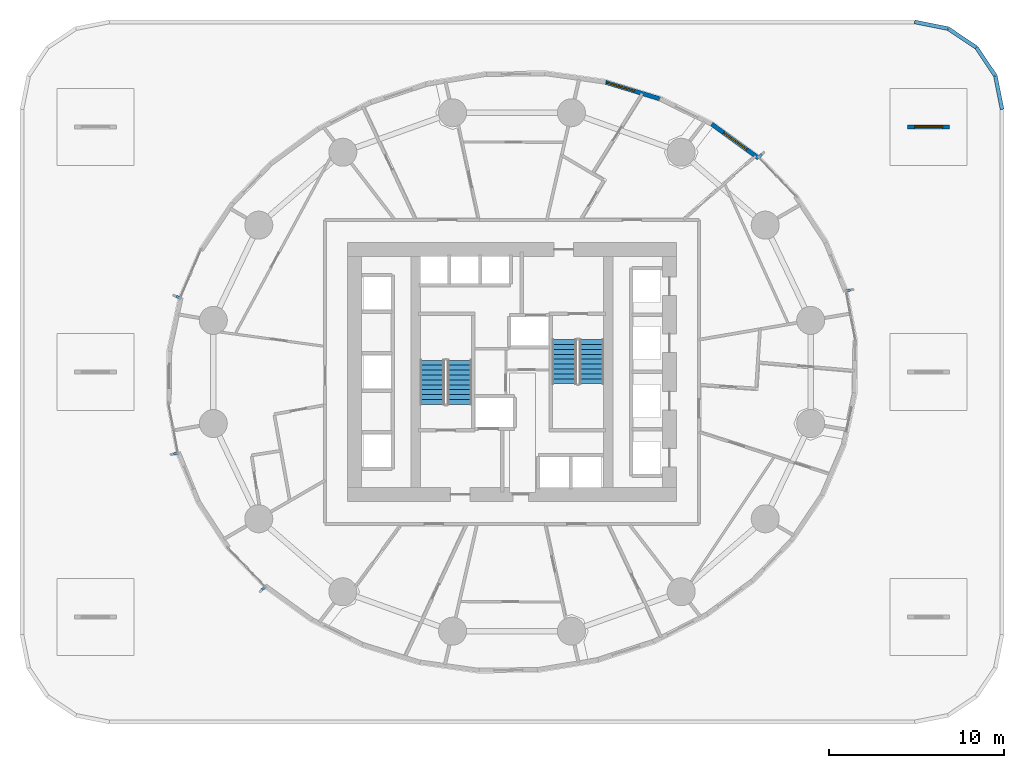
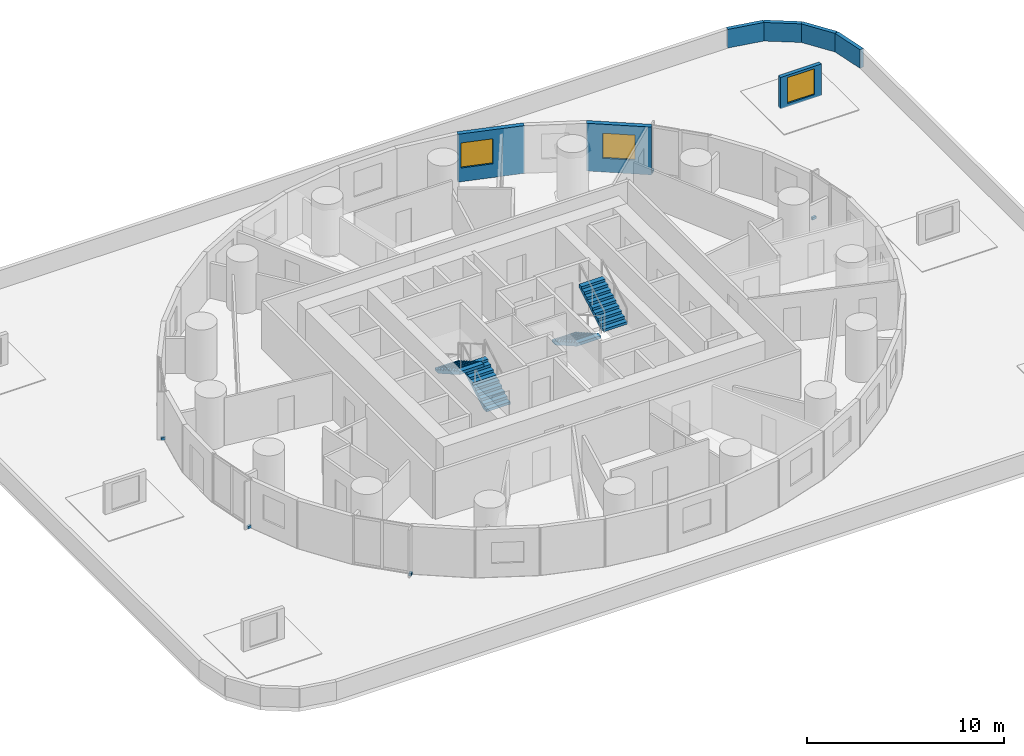
# One storey, part 10 of 12: 7 walls, 5 discrete accessories, 4 stair flights, 3 windows, 3 openings, 2 elements without a shape of their own.
"""IFC4 building model written with IfcOpenShell, lengths in metres."""

from ifc_helpers import new_model, si_unit, direction, frame, frame_2d, origin, origin_2d, place, context, subcontext, project, spatial, polyline, rectangle, outline, extrude, material, layer, layer_set, type_object, element, fill, aggregate, save


model = new_model("IFC4")

# Units and contexts
model_context = context("Model", 3, precision=1e-05, world=origin(), true_north=direction((0.0, 1.0)))
body_context = subcontext(model_context, "Body", "Model", "MODEL_VIEW")
ifc_project = project(units=[si_unit("LENGTHUNIT", "METRE"), si_unit("AREAUNIT", "SQUARE_METRE"), si_unit("VOLUMEUNIT", "CUBIC_METRE"), si_unit("PLANEANGLEUNIT", "RADIAN"), si_unit("MASSUNIT", "GRAM", prefix="KILO")], contexts=[model_context])

# Site, building, storey
site_placement = place(None, origin())
site = spatial("IfcSite", under=ifc_project, at=site_placement, CompositionType="ELEMENT")
building_placement = place(site_placement, origin())
building = spatial("IfcBuilding", under=site, at=building_placement, Name="Veldorim Arch Residences", CompositionType="ELEMENT")
storey_placement = place(building_placement, frame((0.0, 0.0, 24.800048828125)))
storey = spatial("IfcBuildingStorey", under=building, at=storey_placement, Name="L06", CompositionType="ELEMENT", Elevation=24.800048828125)

# Walls
ifc_material_1 = material(Name="Precast concrete C40/50", Category="concrete")
ifc_layer_1 = layer(ifc_material_1, 0.219970703125, Name="Terrace & Refuge Perimeter Parapet Wall 220")
ifc_layer_set_1 = layer_set([ifc_layer_1], Name="Precast concrete C40/50")
wall_type_1 = type_object("IfcWallType", Name="Terrace & Refuge Perimeter Parapet Wall 220", PredefinedType="PARAPET", material=ifc_layer_set_1)
for number, where, z_axis, x_axis, name in (
    (1, (59.619384765625, 40.913330078125, 0.0), (0.0, 0.0, 1.0), (0.19510522281, -0.980782316333, 0.0), "L06 podium roof garden perimeter parapet 05"),
    (2, (58.535400390625, 42.535400390625, 0.0), (0.0, 0.0, 1.0), (0.555623968812, -0.831433704682, 0.0), "L06 podium roof garden perimeter parapet 06"),
    (3, (56.913330078125, 43.619384765625, 0.0), (0.0, 0.0, 1.0), (0.831433704682, -0.555623968812, 0.0), "L06 podium roof garden perimeter parapet 07"),
    (4, (55.0, 44.0, 0.0), (0.0, 0.0, 1.0), (0.980782316333, -0.19510522281, 0.0), "L06 podium roof garden perimeter parapet 08"),
):
    element("IfcWall", number, at=place(storey_placement, frame(where, z_axis=z_axis, x_axis=x_axis)), inside=storey, type_object=wall_type_1, Name=name, PredefinedType="PARAPET", context=body_context, shape_type="SweptSolid", body=[
        extrude(rectangle(XDim=1.950927734375, YDim=0.219970703125, at=frame_2d((0.9755859375, 0.0))), origin(), (0.0, 0.0, 1.0), 1.14990234375),
    ])

# Wall, opening, window
wall_1_placement = place(storey_placement, frame((54.60009765625, 38.0, 0.0), z_axis=(0.0, 0.0, 1.0), x_axis=(1.0, 0.0, 0.0)))
wall_1 = element("IfcWall", 5, at=wall_1_placement, inside=storey, type_object=wall_type_1, Name="L06 clinic atrium skylight monitor wall 06", PredefinedType="PARAPET", context=body_context, shape_type="SweptSolid", body=[
    extrude(rectangle(XDim=2.39990234375, YDim=0.219970703125, at=frame_2d((1.199951171875, 0.0))), origin(), (0.0, 0.0, 1.0), 1.949951171875),
])
opening_1_placement = place(wall_1_placement, frame((0.39990234375, 0.0, 0.199951171875)))
opening_1 = element("IfcOpeningElement", 6, at=opening_1_placement, cuts=wall_1, Name="Opening SK-01", PredefinedType="OPENING", context=body_context, shape_type="SweptSolid", body=[
    extrude(rectangle(XDim=1.60009765625, YDim=1.60009765625, at=frame_2d((0.800048828125, 0.800048828125))), frame((0.0, 0.119873046875, 0.0), z_axis=(0.0, -1.0, 0.0), x_axis=(1.0, 0.0, 0.0)), (0.0, 0.0, 1.0), 0.239990234375),
])
ifc_material_2 = material(Name="Laminated Low-E Glass", Category="glass")
window_type_1 = type_object("IfcWindowType", Name="Podium Roof Framed Skylight 1600x1600", PartitioningType="SINGLE_PANEL", PredefinedType="SKYLIGHT", material=ifc_material_2)
window_1_placement = place(opening_1_placement, origin())
window_1 = element("IfcWindow", 7, at=window_1_placement, inside=storey, type_object=window_type_1, Name="L06 polyclinic roof skylight 06", OverallHeight=1.60009765625, OverallWidth=1.60009765625, PartitioningType="SINGLE_PANEL", PredefinedType="SKYLIGHT", context=body_context, shape_type="SweptSolid", body=[
    extrude(rectangle(XDim=1.60009765625, YDim=1.60009765625, at=frame_2d((0.800048828125, 0.800048828125))), frame((0.0, 0.030029296875, 0.0), z_axis=(0.0, -1.0, 0.0), x_axis=(1.0, 0.0, 0.0)), (0.0, 0.0, 1.0), 0.06005859375),
])
fill(opening_1, window_1)

ifc_material_3 = material(Name="Precast concrete C40/50", Category="concrete")
ifc_layer_2 = layer(ifc_material_3, 0.25, Name="Tower Terracotta Spandrel & Pier Wall 250")
ifc_layer_set_2 = layer_set([ifc_layer_2], Name="Precast concrete C40/50")
wall_type_2 = type_object("IfcWallType", Name="Tower Terracotta Spandrel & Pier Wall 250", PredefinedType="SOLIDWALL", material=ifc_layer_set_2)
wall_2_placement = place(storey_placement, frame((43.41064453125, 38.168212890625, 0.0), z_axis=(0.0, 0.0, 1.0), x_axis=(0.809637503316, -0.58693024562, 0.0)))
wall_2 = element("IfcWall", 8, at=wall_2_placement, inside=storey, type_object=wall_type_2, Name="L06 terracotta facade wall 05", PredefinedType="SOLIDWALL", context=body_context, shape_type="SweptSolid", body=[
    extrude(rectangle(XDim=3.32275390625, YDim=0.25, at=frame_2d((1.661376953125, 0.0))), origin(), (0.0, 0.0, 1.0), 2.9599609375),
])
opening_2_placement = place(wall_2_placement, frame((0.8359375, 0.0, 0.85009765625)))
opening_2 = element("IfcOpeningElement", 9, at=opening_2_placement, cuts=wall_2, Name="Opening WN-03", PredefinedType="OPENING", context=body_context, shape_type="SweptSolid", body=[
    extrude(rectangle(XDim=1.64990234375, YDim=1.550048828125, at=frame_2d((0.824951171875, 0.77490234375))), frame((0.0, 0.135009765625, 0.0), z_axis=(0.0, -1.0, 0.0), x_axis=(1.0, 0.0, 0.0)), (0.0, 0.0, 1.0), 0.27001953125),
])
ifc_material_4 = material(Name="Laminated Low-E Glass", Category="glass")
window_type_2 = type_object("IfcWindowType", Name="Residential Wide Window 1650x1550", PartitioningType="SINGLE_PANEL", PredefinedType="WINDOW", material=ifc_material_4)
window_2_placement = place(opening_2_placement, origin())
window_2 = element("IfcWindow", 10, at=window_2_placement, inside=storey, type_object=window_type_2, Name="L06 solar-control facade window 05", OverallHeight=1.550048828125, OverallWidth=1.64990234375, PartitioningType="SINGLE_PANEL", PredefinedType="WINDOW", context=body_context, shape_type="SweptSolid", body=[
    extrude(rectangle(XDim=1.64990234375, YDim=1.550048828125, at=frame_2d((0.824951171875, 0.77490234375))), frame((0.0, 0.030029296875, 0.0), z_axis=(0.0, -1.0, 0.0), x_axis=(1.0, 0.0, 0.0)), (0.0, 0.0, 1.0), 0.06005859375),
])
fill(opening_2, window_2)

wall_3_placement = place(storey_placement, frame((37.246337890625, 40.588623046875, 0.0), z_axis=(0.0, 0.0, 1.0), x_axis=(0.956266745267, -0.292496003213, 0.0)))
wall_3 = element("IfcWall", 11, at=wall_3_placement, inside=storey, type_object=wall_type_2, Name="L06 terracotta facade wall 07", PredefinedType="SOLIDWALL", context=body_context, shape_type="SweptSolid", body=[
    extrude(rectangle(XDim=3.46484375, YDim=0.25, at=frame_2d((1.732421875, 0.0))), origin(), (0.0, 0.0, 1.0), 2.9599609375),
])
opening_3_placement = place(wall_3_placement, frame((0.175048828125, 0.0, 0.85009765625)))
opening_3 = element("IfcOpeningElement", 12, at=opening_3_placement, cuts=wall_3, Name="Opening WN-03", PredefinedType="OPENING", context=body_context, shape_type="SweptSolid", body=[
    extrude(rectangle(XDim=1.64990234375, YDim=1.550048828125, at=frame_2d((0.824951171875, 0.77490234375))), frame((0.0, 0.135009765625, 0.0), z_axis=(0.0, -1.0, 0.0), x_axis=(1.0, 0.0, 0.0)), (0.0, 0.0, 1.0), 0.27001953125),
])
window_3_placement = place(opening_3_placement, origin())
window_3 = element("IfcWindow", 13, at=window_3_placement, inside=storey, type_object=window_type_2, Name="L06 solar-control facade window 07", OverallHeight=1.550048828125, OverallWidth=1.64990234375, PartitioningType="SINGLE_PANEL", PredefinedType="WINDOW", context=body_context, shape_type="SweptSolid", body=[
    extrude(rectangle(XDim=1.64990234375, YDim=1.550048828125, at=frame_2d((0.824951171875, 0.77490234375))), frame((0.0, 0.030029296875, 0.0), z_axis=(0.0, -1.0, 0.0), x_axis=(1.0, 0.0, 0.0)), (0.0, 0.0, 1.0), 0.06005859375),
])
fill(opening_3, window_3)

# Stair, stair flights
ifc_material_5 = material(Name="Concrete C40/50", Category="concrete")
stair_type = type_object("IfcStairType", Name="Reinforced Concrete Dogleg Exit Staircase", PredefinedType="HALF_TURN_STAIR", material=ifc_material_5)
stair_1_placement = place(storey_placement, origin())
stair_1 = element("IfcStair", 14, at=stair_1_placement, inside=storey, type_object=stair_type, Name="L06 Exit Staircase ST-1", PredefinedType="HALF_TURN_STAIR")
ifc_material_6 = material(Name="Concrete C40/50", Category="concrete")
stair_flight_type = type_object("IfcStairFlightType", Name="Reinforced Concrete Stair Flight 1400", PredefinedType="STRAIGHT", material=ifc_material_6)
stair_flight_1_placement = place(storey_placement, frame((29.010009765625, 22.14990234375, 0.0), z_axis=(0.0, 0.0, 1.0), x_axis=(0.0, 1.0, 0.0)))
stair_flight_1 = element("IfcStairFlight", 15, at=stair_flight_1_placement, type_object=stair_flight_type, Name="ST-1 flight 1", NumberOfRisers=10, NumberOfTreads=9, PredefinedType="STRAIGHT", RiserHeight=0.16, TreadLength=0.28, context=body_context, shape_type="SweptSolid", body=[
    extrude(outline(polyline([(0.0, 0.0), (0.0, 0.159912109375), (0.280029296875, 0.159912109375), (0.280029296875, 0.320068359375), (0.56005859375, 0.320068359375), (0.56005859375, 0.47998046875), (0.840087890625, 0.47998046875), (0.840087890625, 0.639892578125), (1.1201171875, 0.639892578125), (1.1201171875, 0.800048828125), (1.39990234375, 0.800048828125), (1.39990234375, 0.9599609375), (1.679931640625, 0.9599609375), (1.679931640625, 1.1201171875), (1.9599609375, 1.1201171875), (1.9599609375, 1.280029296875), (2.239990234375, 1.280029296875), (2.239990234375, 1.43994140625), (2.52001953125, 1.43994140625), (2.52001953125, 1.60009765625), (2.52001953125, 1.255859375), (0.322265625, 0.0), (0.0, 0.0)])), frame((0.0, 0.699951171875, 0.0), z_axis=(0.0, -1.0, 0.0), x_axis=(1.0, 0.0, 0.0)), (0.0, 0.0, 1.0), 1.39990234375),
])
stair_flight_2_placement = place(storey_placement, frame((27.449951171875, 24.669921875, 1.599853515625), z_axis=(0.0, 0.0, 1.0), x_axis=(0.0, -1.0, 0.0)))
stair_flight_2 = element("IfcStairFlight", 16, at=stair_flight_2_placement, type_object=stair_flight_type, Name="ST-1 flight 2", NumberOfRisers=10, NumberOfTreads=9, PredefinedType="STRAIGHT", RiserHeight=0.16, TreadLength=0.28, context=body_context, shape_type="SweptSolid", body=[
    extrude(outline(polyline([(0.0, 0.0), (0.0, 0.159912109375), (0.280029296875, 0.159912109375), (0.280029296875, 0.320068359375), (0.56005859375, 0.320068359375), (0.56005859375, 0.47998046875), (0.840087890625, 0.47998046875), (0.840087890625, 0.639892578125), (1.1201171875, 0.639892578125), (1.1201171875, 0.800048828125), (1.39990234375, 0.800048828125), (1.39990234375, 0.9599609375), (1.679931640625, 0.9599609375), (1.679931640625, 1.1201171875), (1.9599609375, 1.1201171875), (1.9599609375, 1.280029296875), (2.239990234375, 1.280029296875), (2.239990234375, 1.43994140625), (2.52001953125, 1.43994140625), (2.52001953125, 1.60009765625), (2.52001953125, 1.255859375), (0.322265625, 0.0), (0.0, 0.0)])), frame((0.0, 0.699951171875, 0.0), z_axis=(0.0, -1.0, 0.0), x_axis=(1.0, 0.0, 0.0)), (0.0, 0.0, 1.0), 1.39990234375),
])
aggregate(stair_1, [stair_flight_1, stair_flight_2])

stair_2_placement = place(storey_placement, origin())
stair_2 = element("IfcStair", 17, at=stair_2_placement, inside=storey, type_object=stair_type, Name="L06 Exit Staircase ST-2", PredefinedType="HALF_TURN_STAIR")
stair_flight_3_placement = place(storey_placement, frame((34.989990234375, 25.85009765625, 0.0), z_axis=(0.0, 0.0, 1.0), x_axis=(0.0, -1.0, 0.0)))
stair_flight_3 = element("IfcStairFlight", 18, at=stair_flight_3_placement, type_object=stair_flight_type, Name="ST-2 flight 1", NumberOfRisers=10, NumberOfTreads=9, PredefinedType="STRAIGHT", RiserHeight=0.16, TreadLength=0.28, context=body_context, shape_type="SweptSolid", body=[
    extrude(outline(polyline([(0.0, 0.0), (0.0, 0.159912109375), (0.280029296875, 0.159912109375), (0.280029296875, 0.320068359375), (0.56005859375, 0.320068359375), (0.56005859375, 0.47998046875), (0.840087890625, 0.47998046875), (0.840087890625, 0.639892578125), (1.1201171875, 0.639892578125), (1.1201171875, 0.800048828125), (1.39990234375, 0.800048828125), (1.39990234375, 0.9599609375), (1.679931640625, 0.9599609375), (1.679931640625, 1.1201171875), (1.9599609375, 1.1201171875), (1.9599609375, 1.280029296875), (2.239990234375, 1.280029296875), (2.239990234375, 1.43994140625), (2.52001953125, 1.43994140625), (2.52001953125, 1.60009765625), (2.52001953125, 1.255859375), (0.322265625, 0.0), (0.0, 0.0)])), frame((0.0, 0.699951171875, 0.0), z_axis=(0.0, -1.0, 0.0), x_axis=(1.0, 0.0, 0.0)), (0.0, 0.0, 1.0), 1.39990234375),
])
stair_flight_4_placement = place(storey_placement, frame((36.550048828125, 23.330078125, 1.599853515625), z_axis=(0.0, 0.0, 1.0), x_axis=(0.0, 1.0, 0.0)))
stair_flight_4 = element("IfcStairFlight", 19, at=stair_flight_4_placement, type_object=stair_flight_type, Name="ST-2 flight 2", NumberOfRisers=10, NumberOfTreads=9, PredefinedType="STRAIGHT", RiserHeight=0.16, TreadLength=0.28, context=body_context, shape_type="SweptSolid", body=[
    extrude(outline(polyline([(0.0, 0.0), (0.0, 0.159912109375), (0.280029296875, 0.159912109375), (0.280029296875, 0.320068359375), (0.56005859375, 0.320068359375), (0.56005859375, 0.47998046875), (0.840087890625, 0.47998046875), (0.840087890625, 0.639892578125), (1.1201171875, 0.639892578125), (1.1201171875, 0.800048828125), (1.39990234375, 0.800048828125), (1.39990234375, 0.9599609375), (1.679931640625, 0.9599609375), (1.679931640625, 1.1201171875), (1.9599609375, 1.1201171875), (1.9599609375, 1.280029296875), (2.239990234375, 1.280029296875), (2.239990234375, 1.43994140625), (2.52001953125, 1.43994140625), (2.52001953125, 1.60009765625), (2.52001953125, 1.255859375), (0.322265625, 0.0), (0.0, 0.0)])), frame((0.0, 0.699951171875, 0.0), z_axis=(0.0, -1.0, 0.0), x_axis=(1.0, 0.0, 0.0)), (0.0, 0.0, 1.0), 1.39990234375),
])
aggregate(stair_2, [stair_flight_3, stair_flight_4])

# Discrete accessories
ifc_material_7 = material(Name="Stainless Steel", Category="steel")
discrete_accessory_type = type_object("IfcDiscreteAccessoryType", Name="Stainless Steel Facade Fin Anchor Bracket", PredefinedType="BRACKET", material=ifc_material_7)
for number, where, z_axis, x_axis, name in (
    (20, (51.214111328125, 28.6650390625, -0.02001953125), (0.0, 0.0, 1.0), (0.187209870265, -0.982319939976, 0.0), "L06 stainless fin anchor bracket 01"),
    (21, (46.194580078125, 36.355224609375, -0.02001953125), (0.0, 0.0, 1.0), (0.693527577607, -0.720430079257, 0.0), "L06 stainless fin anchor bracket 04"),
    (22, (12.918212890625, 28.27392578125, -0.02001953125), (0.0, 0.0, 1.0), (0.393781484212, 0.919204081089, 0.0), "L06 stainless fin anchor bracket 16"),
    (23, (12.785888671875, 19.3349609375, -0.02001953125), (0.0, 0.0, 1.0), (-0.187209870265, 0.982319939976, 0.0), "L06 stainless fin anchor bracket 19"),
    (24, (17.805419921875, 11.644775390625, -0.02001953125), (0.0, 0.0, 1.0), (-0.693527577607, 0.720430079257, 0.0), "L06 stainless fin anchor bracket 22"),
):
    element("IfcDiscreteAccessory", number, at=place(storey_placement, frame(where, z_axis=z_axis, x_axis=x_axis)), inside=storey, type_object=discrete_accessory_type, Name=name, PredefinedType="BRACKET", context=body_context, shape_type="SweptSolid", body=[
        extrude(rectangle(XDim=0.139892578125, YDim=0.239990234375, at=origin_2d()), origin(), (0.0, 0.0, 1.0), 0.159912109375),
    ])

save(model, "model.ifc")
